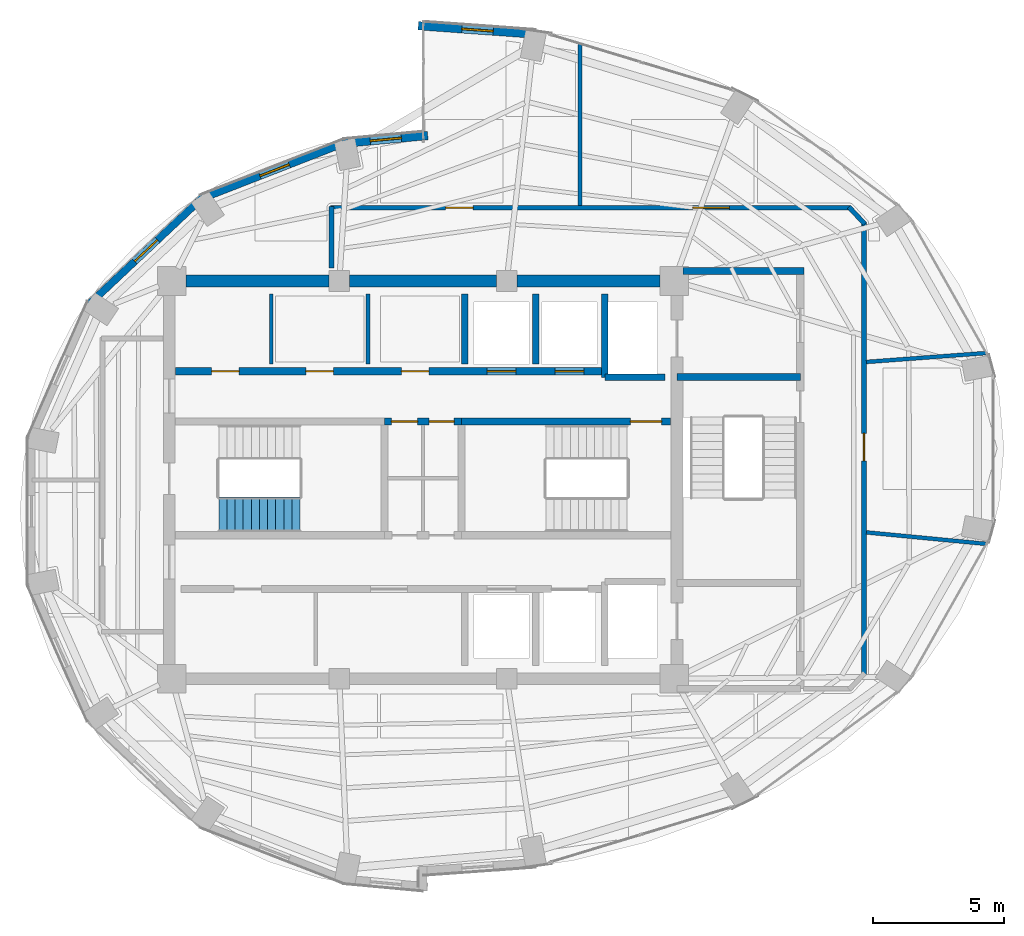
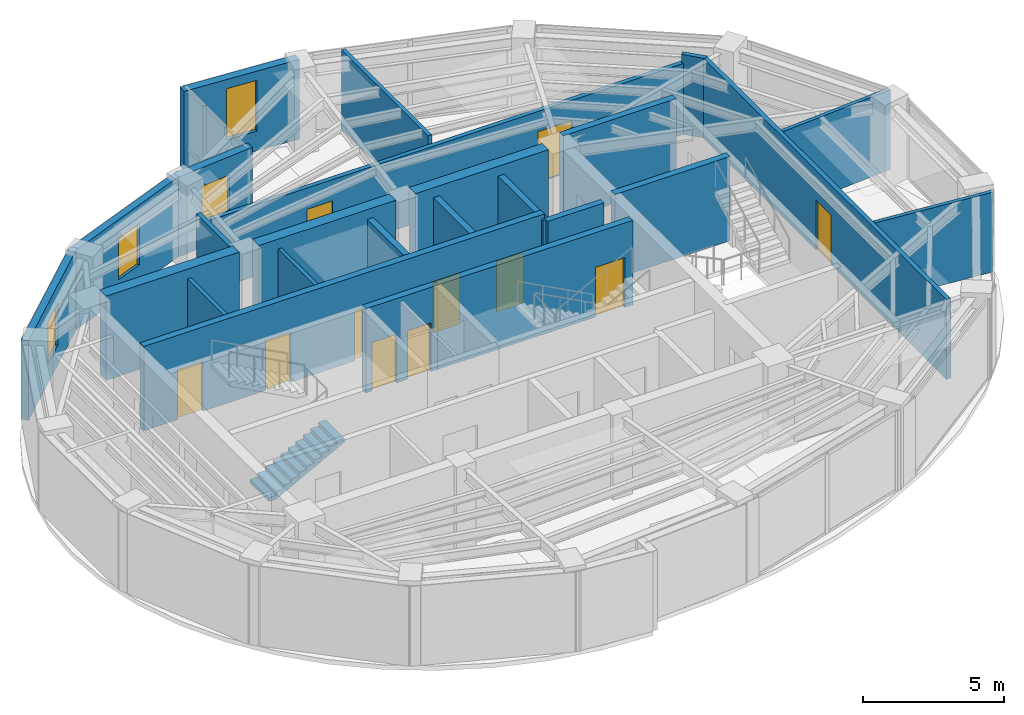
# One storey, part 12 of 15: 25 walls, 11 doors, 4 windows, 1 stair flight, 15 openings, 1 element without a shape of its own.
"""IFC4 building model written with IfcOpenShell, lengths in metres."""

from ifc_helpers import new_model, si_unit, direction, frame, frame_2d, origin, place, context, subcontext, project, spatial, polyline, rectangle, outline, extrude, material, layer, layer_set, type_object, element, fill, aggregate, save


model = new_model("IFC4")

# Units and contexts
model_context = context("Model", 3, precision=1e-05, world=origin(), true_north=direction((0.0, 1.0)))
body_context = subcontext(model_context, "Body", "Model", "MODEL_VIEW")
ifc_project = project(units=[si_unit("LENGTHUNIT", "METRE"), si_unit("AREAUNIT", "SQUARE_METRE"), si_unit("VOLUMEUNIT", "CUBIC_METRE"), si_unit("PLANEANGLEUNIT", "RADIAN"), si_unit("MASSUNIT", "GRAM", prefix="KILO")], contexts=[model_context])

# Site, building, storey
site_placement = place(None, origin())
site = spatial("IfcSite", under=ifc_project, at=site_placement, CompositionType="ELEMENT")
building_placement = place(site_placement, origin())
building = spatial("IfcBuilding", under=site, at=building_placement, Name="Lazwardi Medical Tower", CompositionType="ELEMENT")
storey_placement = place(building_placement, frame((0.0, 0.0, 280.56005859375)))
storey = spatial("IfcBuildingStorey", under=building, at=storey_placement, Name="L73", CompositionType="ELEMENT", Elevation=280.56005859375)

# Wall
ifc_material_1 = material(Name="Fire-rated gypsum board on steel stud", Category="steel")
ifc_layer_1 = layer(ifc_material_1, 0.179931640625)
ifc_layer_set_1 = layer_set([ifc_layer_1], Name="Fire-rated gypsum board on steel stud")
wall_type_1 = type_object("IfcWallType", Name="WL-COR-180", PredefinedType="PARTITIONING", material=ifc_layer_set_1)
wall_1_placement = place(storey_placement, frame((32.5, 36.090087890625, 0.0), z_axis=(0.0, 0.0, 1.0), x_axis=(0.0, 1.0, 0.0)))
element("IfcWall", 1, at=wall_1_placement, inside=storey, type_object=wall_type_1, Name="L73 Corridor partition 1", PredefinedType="PARTITIONING", context=body_context, shape_type="SweptSolid", body=[
    extrude(rectangle(XDim=2.349853515625, YDim=0.179931640625, at=frame_2d((1.1748046875, 0.0))), origin(), (0.0, 0.0, 1.0), 3.447998046875),
])

# Wall, openings, doors
wall_2_placement = place(storey_placement, frame((32.4599609375, 38.39990234375, 0.0), z_axis=(0.0, 0.0, 1.0), x_axis=(1.0, 0.0, 0.0)))
wall_2 = element("IfcWall", 2, at=wall_2_placement, inside=storey, type_object=wall_type_1, Name="L73 Corridor partition 2", PredefinedType="PARTITIONING", context=body_context, shape_type="SweptSolid", body=[
    extrude(rectangle(XDim=19.879150390625, YDim=0.179931640625, at=frame_2d((9.939453125, 0.0))), origin(), (0.0, 0.0, 1.0), 3.072998046875),
])
opening_1_placement = place(wall_2_placement, frame((13.8505859375, 0.0, 0.0)))
opening_1 = element("IfcOpeningElement", 3, at=opening_1_placement, cuts=wall_2, Name="Opening D-L73-016", PredefinedType="OPENING", context=body_context, shape_type="SweptSolid", body=[
    extrude(rectangle(XDim=1.39990234375, YDim=2.199951171875, at=frame_2d((0.699951171875, 1.10009765625))), frame((0.0, 0.099853515625, 0.0), z_axis=(0.0, -1.0, 0.0), x_axis=(1.0, 0.0, 0.0)), (0.0, 0.0, 1.0), 0.199951171875),
])
opening_2_placement = place(wall_2_placement, frame((4.404052734375, 0.0, 0.0)))
opening_2 = element("IfcOpeningElement", 4, at=opening_2_placement, cuts=wall_2, Name="Opening D-L73-017", PredefinedType="OPENING", context=body_context, shape_type="SweptSolid", body=[
    extrude(rectangle(XDim=1.050048828125, YDim=2.14990234375, at=frame_2d((0.52490234375, 1.074951171875))), frame((0.0, 0.099853515625, 0.0), z_axis=(0.0, -1.0, 0.0), x_axis=(1.0, 0.0, 0.0)), (0.0, 0.0, 1.0), 0.199951171875),
])
ifc_material_2 = material(Name="Anti-microbial laminate hospital leaf")
door_type_1 = type_object("IfcDoorType", Name="DR-BED-1400", OperationType="NOTDEFINED", PredefinedType="DOOR", material=ifc_material_2)
door_1_placement = place(opening_1_placement, origin())
door_1 = element("IfcDoor", 5, at=door_1_placement, inside=storey, type_object=door_type_1, Name="L73 Rehabilitation Gymnasium Door 03", OperationType="SINGLE_SWING_LEFT", OverallHeight=2.199951171875, OverallWidth=1.39990234375, PredefinedType="DOOR", context=body_context, shape_type="SweptSolid", body=[
    extrude(rectangle(XDim=1.39990234375, YDim=2.199951171875, at=frame_2d((0.699951171875, 1.10009765625))), frame((0.0, 0.02490234375, 0.0), z_axis=(0.0, -1.0, 0.0), x_axis=(1.0, 0.0, 0.0)), (0.0, 0.0, 1.0), 0.050048828125),
])
fill(opening_1, door_1)
door_type_2 = type_object("IfcDoorType", Name="DR-CLN-1050", OperationType="NOTDEFINED", PredefinedType="DOOR", material=ifc_material_2)
door_2_placement = place(opening_2_placement, origin())
door_2 = element("IfcDoor", 6, at=door_2_placement, inside=storey, type_object=door_type_2, Name="L73 Outpatient Clinic Door 04", OperationType="SINGLE_SWING_RIGHT", OverallHeight=2.14990234375, OverallWidth=1.050048828125, PredefinedType="DOOR", context=body_context, shape_type="SweptSolid", body=[
    extrude(rectangle(XDim=1.050048828125, YDim=2.14990234375, at=frame_2d((0.52490234375, 1.074951171875))), frame((0.0, 0.02490234375, 0.0), z_axis=(0.0, -1.0, 0.0), x_axis=(1.0, 0.0, 0.0)), (0.0, 0.0, 1.0), 0.050048828125),
])
fill(opening_2, door_2)

# Wall
wall_3_placement = place(storey_placement, frame((52.271728515625, 38.42919921875, 0.0), z_axis=(0.0, 0.0, 1.0), x_axis=(0.682475113459, -0.730908831188, 0.0)))
element("IfcWall", 7, at=wall_3_placement, inside=storey, type_object=wall_type_1, Name="L73 Corridor partition 3", PredefinedType="PARTITIONING", context=body_context, shape_type="SweptSolid", body=[
    extrude(rectangle(XDim=0.88720703125, YDim=0.179931640625, at=frame_2d((0.443603515625, 0.0))), origin(), (0.0, 0.0, 1.0), 3.447998046875),
])

# Wall, opening, door
wall_4_placement = place(storey_placement, frame((52.85009765625, 37.85009765625, 0.0), z_axis=(0.0, 0.0, 1.0), x_axis=(0.0, -1.0, 0.0)))
wall_4 = element("IfcWall", 8, at=wall_4_placement, inside=storey, type_object=wall_type_1, Name="L73 Corridor partition 4", PredefinedType="PARTITIONING", context=body_context, shape_type="SweptSolid", body=[
    extrude(rectangle(XDim=17.30029296875, YDim=0.179931640625, at=frame_2d((8.650146484375, 0.0))), origin(), (0.0, 0.0, 1.0), 3.447998046875),
])
opening_3_placement = place(wall_4_placement, frame((8.075927734375, 0.0, 0.0)))
opening_3 = element("IfcOpeningElement", 9, at=opening_3_placement, cuts=wall_4, Name="Opening D-L73-015", PredefinedType="OPENING", context=body_context, shape_type="SweptSolid", body=[
    extrude(rectangle(XDim=1.050048828125, YDim=2.14990234375, at=frame_2d((0.52490234375, 1.074951171875))), frame((0.0, 0.099853515625, 0.0), z_axis=(0.0, -1.0, 0.0), x_axis=(1.0, 0.0, 0.0)), (0.0, 0.0, 1.0), 0.199951171875),
])
door_3_placement = place(opening_3_placement, origin())
door_3 = element("IfcDoor", 10, at=door_3_placement, inside=storey, type_object=door_type_2, Name="L73 Clinical Specialist Office Door 02", OperationType="SINGLE_SWING_RIGHT", OverallHeight=2.14990234375, OverallWidth=1.050048828125, PredefinedType="DOOR", context=body_context, shape_type="SweptSolid", body=[
    extrude(rectangle(XDim=1.050048828125, YDim=2.14990234375, at=frame_2d((0.52490234375, 1.074951171875))), frame((0.0, 0.02490234375, 0.0), z_axis=(0.0, -1.0, 0.0), x_axis=(1.0, 0.0, 0.0)), (0.0, 0.0, 1.0), 0.050048828125),
])
fill(opening_3, door_3)

# Walls
ifc_material_3 = material(Name="Concrete C60/75", Category="concrete")
ifc_layer_2 = layer(ifc_material_3, 0.449951171875)
ifc_layer_set_2 = layer_set([ifc_layer_2], Name="Concrete C60/75")
wall_type_2 = type_object("IfcWallType", Name="WL-CORE-450", PredefinedType="SHEAR", material=ifc_layer_set_2)
wall_5_placement = place(storey_placement, frame((26.949951171875, 35.60009765625, 0.0), z_axis=(0.0, 0.0, 1.0), x_axis=(1.0, 0.0, 0.0)))
element("IfcWall", 11, at=wall_5_placement, inside=storey, type_object=wall_type_2, Name="Core wall CW-S4 N1 L73", PredefinedType="SHEAR", context=body_context, shape_type="SweptSolid", body=[
    extrude(rectangle(XDim=5.449951171875, YDim=0.449951171875, at=frame_2d((2.72509765625, 0.0))), origin(), (0.0, 0.0, 1.0), 3.64794921875),
])
wall_6_placement = place(storey_placement, frame((33.199951171875, 35.60009765625, 0.0), z_axis=(0.0, 0.0, 1.0), x_axis=(1.0, 0.0, 0.0)))
element("IfcWall", 12, at=wall_6_placement, inside=storey, type_object=wall_type_2, Name="Core wall CW-S4 N2 L73", PredefinedType="SHEAR", context=body_context, shape_type="SweptSolid", body=[
    extrude(rectangle(XDim=5.60009765625, YDim=0.449951171875, at=frame_2d((2.800048828125, 0.0))), origin(), (0.0, 0.0, 1.0), 3.64794921875),
])
wall_7_placement = place(storey_placement, frame((39.60009765625, 35.60009765625, 0.0), z_axis=(0.0, 0.0, 1.0), x_axis=(1.0, 0.0, 0.0)))
element("IfcWall", 13, at=wall_7_placement, inside=storey, type_object=wall_type_2, Name="Core wall CW-S4 N3 L73", PredefinedType="SHEAR", context=body_context, shape_type="SweptSolid", body=[
    extrude(rectangle(XDim=5.449951171875, YDim=0.449951171875, at=frame_2d((2.72509765625, 0.0))), origin(), (0.0, 0.0, 1.0), 3.64794921875),
])

# Wall, opening, window
ifc_material_4 = material(Name="Precast concrete C45/55", Category="concrete")
ifc_layer_3 = layer(ifc_material_4, 0.280029296875)
ifc_layer_set_3 = layer_set([ifc_layer_3], Name="Precast concrete C45/55")
wall_type_3 = type_object("IfcWallType", Name="WL-DRUM-280", PredefinedType="SOLIDWALL", material=ifc_layer_set_3)
wall_8_placement = place(storey_placement, frame((33.227783203125, 40.964111328125, 0.0), z_axis=(0.0, 0.0, 1.0), x_axis=(-0.931716550814, -0.36318627306, 0.0)))
wall_8 = element("IfcWall", 14, at=wall_8_placement, inside=storey, type_object=wall_type_3, Name="L73 West Drum Precast Wall 1", PredefinedType="SOLIDWALL", context=body_context, shape_type="SweptSolid", body=[
    extrude(rectangle(XDim=6.22412109375, YDim=0.280029296875, at=frame_2d((3.112060546875, 0.0))), origin(), (0.0, 0.0, 1.0), 3.447998046875),
])
opening_4_placement = place(wall_8_placement, frame((2.511962890625, 0.0, 0.85009765625)))
opening_4 = element("IfcOpeningElement", 15, at=opening_4_placement, cuts=wall_8, Name="Opening WN-04", PredefinedType="OPENING", context=body_context, shape_type="SweptSolid", body=[
    extrude(rectangle(XDim=1.199951171875, YDim=1.800048828125, at=frame_2d((0.60009765625, 0.89990234375))), frame((0.0, 0.14990234375, 0.0), z_axis=(0.0, -1.0, 0.0), x_axis=(1.0, 0.0, 0.0)), (0.0, 0.0, 1.0), 0.300048828125),
])
ifc_material_5 = material(Name="Low-e bronze solar control double glazing", Category="glass")
window_type_1 = type_object("IfcWindowType", Name="WIN-DRUM-1200", PartitioningType="SINGLE_PANEL", PredefinedType="WINDOW", material=ifc_material_5)
window_1_placement = place(opening_4_placement, origin())
window_1 = element("IfcWindow", 16, at=window_1_placement, inside=storey, type_object=window_type_1, Name="L73 West Drum Window 1", OverallHeight=1.800048828125, OverallWidth=1.199951171875, PartitioningType="SINGLE_PANEL", PredefinedType="WINDOW", context=body_context, shape_type="SweptSolid", body=[
    extrude(rectangle(XDim=1.199951171875, YDim=1.800048828125, at=frame_2d((0.60009765625, 0.89990234375))), frame((0.0, 0.030029296875, 0.0), z_axis=(0.0, -1.0, 0.0), x_axis=(1.0, 0.0, 0.0)), (0.0, 0.0, 1.0), 0.06005859375),
])
fill(opening_4, window_1)

wall_9_placement = place(storey_placement, frame((27.5947265625, 38.808349609375, 0.0), z_axis=(0.0, 0.0, 1.0), x_axis=(-0.728251519923, -0.685309947199, 0.0)))
wall_9 = element("IfcWall", 17, at=wall_9_placement, inside=storey, type_object=wall_type_3, Name="L73 West Drum Precast Wall 2", PredefinedType="SOLIDWALL", context=body_context, shape_type="SweptSolid", body=[
    extrude(rectangle(XDim=5.98095703125, YDim=0.280029296875, at=frame_2d((2.990478515625, 0.0))), origin(), (0.0, 0.0, 1.0), 3.447998046875),
])
opening_5_placement = place(wall_9_placement, frame((2.390625, 0.0, 0.85009765625)))
opening_5 = element("IfcOpeningElement", 18, at=opening_5_placement, cuts=wall_9, Name="Opening WN-04", PredefinedType="OPENING", context=body_context, shape_type="SweptSolid", body=[
    extrude(rectangle(XDim=1.199951171875, YDim=1.800048828125, at=frame_2d((0.60009765625, 0.89990234375))), frame((0.0, 0.14990234375, 0.0), z_axis=(0.0, -1.0, 0.0), x_axis=(1.0, 0.0, 0.0)), (0.0, 0.0, 1.0), 0.300048828125),
])
window_2_placement = place(opening_5_placement, origin())
window_2 = element("IfcWindow", 19, at=window_2_placement, inside=storey, type_object=window_type_1, Name="L73 West Drum Window 2", OverallHeight=1.800048828125, OverallWidth=1.199951171875, PartitioningType="SINGLE_PANEL", PredefinedType="WINDOW", context=body_context, shape_type="SweptSolid", body=[
    extrude(rectangle(XDim=1.199951171875, YDim=1.800048828125, at=frame_2d((0.60009765625, 0.89990234375))), frame((0.0, 0.030029296875, 0.0), z_axis=(0.0, -1.0, 0.0), x_axis=(1.0, 0.0, 0.0)), (0.0, 0.0, 1.0), 0.06005859375),
])
fill(opening_5, window_2)

ifc_layer_4 = layer(ifc_material_4, 0.320068359375)
ifc_layer_set_4 = layer_set([ifc_layer_4], Name="Precast concrete C45/55")
wall_type_4 = type_object("IfcWallType", Name="WL-IWAN-320", PredefinedType="SOLIDWALL", material=ifc_layer_set_4)
wall_10_placement = place(storey_placement, frame((40.349609375, 45.0263671875, 0.0), z_axis=(0.0, 0.0, 1.0), x_axis=(-0.997412917451, 0.071885131294, 0.0)))
wall_10 = element("IfcWall", 20, at=wall_10_placement, inside=storey, type_object=wall_type_4, Name="L73 Iwan Portal Return Wall NE_ret", PredefinedType="SOLIDWALL", context=body_context, shape_type="SweptSolid", body=[
    extrude(rectangle(XDim=4.540771484375, YDim=0.320068359375, at=frame_2d((2.2705078125, 0.0))), origin(), (0.0, 0.0, 1.0), 3.447998046875),
])
opening_6_placement = place(wall_10_placement, frame((1.67041015625, 0.0, 0.85009765625)))
opening_6 = element("IfcOpeningElement", 21, at=opening_6_placement, cuts=wall_10, Name="Opening WN-01", PredefinedType="OPENING", context=body_context, shape_type="SweptSolid", body=[
    extrude(rectangle(XDim=1.199951171875, YDim=2.199951171875, at=frame_2d((0.60009765625, 1.10009765625))), frame((0.0, 0.169921875, 0.0), z_axis=(0.0, -1.0, 0.0), x_axis=(1.0, 0.0, 0.0)), (0.0, 0.0, 1.0), 0.340087890625),
])
window_type_2 = type_object("IfcWindowType", Name="WIN-IW-1200", PartitioningType="SINGLE_PANEL", PredefinedType="WINDOW", material=ifc_material_5)
window_3_placement = place(opening_6_placement, origin())
window_3 = element("IfcWindow", 22, at=window_3_placement, inside=storey, type_object=window_type_2, Name="L73 Iwan Slot Window NE_ret", OverallHeight=2.199951171875, OverallWidth=1.199951171875, PartitioningType="SINGLE_PANEL", PredefinedType="WINDOW", context=body_context, shape_type="SweptSolid", body=[
    extrude(rectangle(XDim=1.199951171875, YDim=2.199951171875, at=frame_2d((0.60009765625, 1.10009765625))), frame((0.0, 0.030029296875, 0.0), z_axis=(0.0, -1.0, 0.0), x_axis=(1.0, 0.0, 0.0)), (0.0, 0.0, 1.0), 0.06005859375),
])
fill(opening_6, window_3)

wall_11_placement = place(storey_placement, frame((36.178955078125, 41.156494140625, 0.0), z_axis=(0.0, 0.0, 1.0), x_axis=(-0.995736155144, -0.092247001792, 0.0)))
wall_11 = element("IfcWall", 23, at=wall_11_placement, inside=storey, type_object=wall_type_4, Name="L73 Iwan Portal Return Wall NW_ret", PredefinedType="SOLIDWALL", context=body_context, shape_type="SweptSolid", body=[
    extrude(rectangle(XDim=3.215576171875, YDim=0.320068359375, at=frame_2d((1.60791015625, 0.0))), origin(), (0.0, 0.0, 1.0), 3.447998046875),
])
opening_7_placement = place(wall_11_placement, frame((1.0078125, 0.0, 0.85009765625)))
opening_7 = element("IfcOpeningElement", 24, at=opening_7_placement, cuts=wall_11, Name="Opening WN-04", PredefinedType="OPENING", context=body_context, shape_type="SweptSolid", body=[
    extrude(rectangle(XDim=1.199951171875, YDim=1.800048828125, at=frame_2d((0.60009765625, 0.89990234375))), frame((0.0, 0.169921875, 0.0), z_axis=(0.0, -1.0, 0.0), x_axis=(1.0, 0.0, 0.0)), (0.0, 0.0, 1.0), 0.340087890625),
])
window_4_placement = place(opening_7_placement, origin())
window_4 = element("IfcWindow", 25, at=window_4_placement, inside=storey, type_object=window_type_1, Name="L73 Iwan Slot Window NW_ret", OverallHeight=1.800048828125, OverallWidth=1.199951171875, PartitioningType="SINGLE_PANEL", PredefinedType="WINDOW", context=body_context, shape_type="SweptSolid", body=[
    extrude(rectangle(XDim=1.199951171875, YDim=1.800048828125, at=frame_2d((0.60009765625, 0.89990234375))), frame((0.0, 0.030029296875, 0.0), z_axis=(0.0, -1.0, 0.0), x_axis=(1.0, 0.0, 0.0)), (0.0, 0.0, 1.0), 0.06005859375),
])
fill(opening_7, window_4)

# Walls
ifc_material_6 = material(Name="Autoclaved aerated concrete blockwork", Category="masonry")
ifc_layer_5 = layer(ifc_material_6, 0.25)
ifc_layer_set_5 = layer_set([ifc_layer_5], Name="Autoclaved aerated concrete blockwork")
wall_type_5 = type_object("IfcWallType", Name="WL-SHAFT-250", PredefinedType="SOLIDWALL", material=ifc_layer_set_5)
wall_12_placement = place(storey_placement, frame((42.949951171875, 31.919921875, 0.0), z_axis=(0.0, 0.0, 1.0), x_axis=(0.0, 1.0, 0.0)))
element("IfcWall", 26, at=wall_12_placement, inside=storey, type_object=wall_type_5, Name="L73 FL-01 West shaft wall", PredefinedType="SOLIDWALL", context=body_context, shape_type="SweptSolid", body=[
    extrude(rectangle(XDim=3.18017578125, YDim=0.25, at=frame_2d((1.590087890625, 0.0))), origin(), (0.0, 0.0, 1.0), 3.447998046875),
])
wall_13_placement = place(storey_placement, frame((42.949951171875, 31.919921875, 0.0), z_axis=(0.0, 0.0, 1.0), x_axis=(1.0, 0.0, 0.0)))
element("IfcWall", 27, at=wall_13_placement, inside=storey, type_object=wall_type_5, Name="L73 FL-01 South shaft wall", PredefinedType="SOLIDWALL", context=body_context, shape_type="SweptSolid", body=[
    extrude(rectangle(XDim=2.300048828125, YDim=0.25, at=frame_2d((1.14990234375, 0.0))), origin(), (0.0, 0.0, 1.0), 3.447998046875),
])
for number, where, z_axis, x_axis, name in (
    (28, (37.60009765625, 32.419921875, 0.0), (0.0, 0.0, 1.0), (0.0, 1.0, 0.0), "L73 North hoistway divider"),
    (29, (40.300048828125, 32.419921875, 0.0), (0.0, 0.0, 1.0), (0.0, 1.0, 0.0), "L73 North hoistway divider"),
):
    element("IfcWall", number, at=place(storey_placement, frame(where, z_axis=z_axis, x_axis=x_axis)), inside=storey, type_object=wall_type_5, Name=name, PredefinedType="SOLIDWALL", context=body_context, shape_type="SweptSolid", body=[
        extrude(rectangle(XDim=2.68017578125, YDim=0.25, at=frame_2d((1.340087890625, 0.0))), origin(), (0.0, 0.0, 1.0), 3.447998046875),
    ])

# Wall, openings, doors
ifc_material_7 = material(Name="Concrete C50/60", Category="concrete")
ifc_layer_6 = layer(ifc_material_7, 0.27001953125)
ifc_layer_set_6 = layer_set([ifc_layer_6], Name="Concrete C50/60")
wall_type_6 = type_object("IfcWallType", Name="WL-STR-250", PredefinedType="SHEAR", material=ifc_layer_set_6)
wall_14_placement = place(storey_placement, frame((34.534912109375, 30.235107421875, 0.0), z_axis=(0.0, 0.0, 1.0), x_axis=(1.0, 0.0, 0.0)))
wall_14 = element("IfcWall", 30, at=wall_14_placement, inside=storey, type_object=wall_type_6, Name="L73 Core service North shear wall SW-S1", PredefinedType="SHEAR", context=body_context, shape_type="SweptSolid", body=[
    extrude(rectangle(XDim=2.93017578125, YDim=0.27001953125, at=frame_2d((1.465087890625, 0.0))), origin(), (0.0, 0.0, 1.0), 3.64794921875),
])
opening_8_placement = place(wall_14_placement, frame((0.2548828125, 0.0, 0.0)))
opening_8 = element("IfcOpeningElement", 31, at=opening_8_placement, cuts=wall_14, Name="Opening D-L73-003", PredefinedType="OPENING", context=body_context, shape_type="SweptSolid", body=[
    extrude(rectangle(XDim=1.0, YDim=2.10009765625, at=frame_2d((0.5, 1.050048828125))), frame((0.0, 0.14501953125, 0.0), z_axis=(0.0, -1.0, 0.0), x_axis=(1.0, 0.0, 0.0)), (0.0, 0.0, 1.0), 0.2900390625),
])
opening_9_placement = place(wall_14_placement, frame((1.699951171875, 0.0, 0.0)))
opening_9 = element("IfcOpeningElement", 32, at=opening_9_placement, cuts=wall_14, Name="Opening D-L73-004", PredefinedType="OPENING", context=body_context, shape_type="SweptSolid", body=[
    extrude(rectangle(XDim=0.949951171875, YDim=2.10009765625, at=frame_2d((0.47509765625, 1.050048828125))), frame((0.0, 0.14501953125, 0.0), z_axis=(0.0, -1.0, 0.0), x_axis=(1.0, 0.0, 0.0)), (0.0, 0.0, 1.0), 0.2900390625),
])
ifc_material_8 = material(Name="Moisture-resistant laminate door leaf")
door_type_3 = type_object("IfcDoorType", Name="DR-AWC-1000", OperationType="NOTDEFINED", PredefinedType="DOOR", material=ifc_material_8)
door_4_placement = place(opening_8_placement, origin())
door_4 = element("IfcDoor", 33, at=door_4_placement, inside=storey, type_object=door_type_3, Name="L73 Accessible WC Door", OperationType="SINGLE_SWING_LEFT", OverallHeight=2.10009765625, OverallWidth=1.0, PredefinedType="DOOR", context=body_context, shape_type="SweptSolid", body=[
    extrude(rectangle(XDim=1.0, YDim=2.10009765625, at=frame_2d((0.5, 1.050048828125))), frame((0.0, 0.02490234375, 0.0), z_axis=(0.0, -1.0, 0.0), x_axis=(1.0, 0.0, 0.0)), (0.0, 0.0, 1.0), 0.050048828125),
])
fill(opening_8, door_4)
door_type_4 = type_object("IfcDoorType", Name="DR-ENS-950", OperationType="NOTDEFINED", PredefinedType="DOOR", material=ifc_material_8)
door_5_placement = place(opening_9_placement, origin())
door_5 = element("IfcDoor", 34, at=door_5_placement, inside=storey, type_object=door_type_4, Name="L73 Clean Utility Door", OperationType="SINGLE_SWING_RIGHT", OverallHeight=2.10009765625, OverallWidth=0.949951171875, PredefinedType="DOOR", context=body_context, shape_type="SweptSolid", body=[
    extrude(rectangle(XDim=0.949951171875, YDim=2.10009765625, at=frame_2d((0.47509765625, 1.050048828125))), frame((0.0, 0.02490234375, 0.0), z_axis=(0.0, -1.0, 0.0), x_axis=(1.0, 0.0, 0.0)), (0.0, 0.0, 1.0), 0.050048828125),
])
fill(opening_9, door_5)

# Wall, opening, door
wall_15_placement = place(storey_placement, frame((37.465087890625, 30.235107421875, 0.0), z_axis=(0.0, 0.0, 1.0), x_axis=(1.0, 0.0, 0.0)))
wall_15 = element("IfcWall", 35, at=wall_15_placement, inside=storey, type_object=wall_type_6, Name="L73 ST2 North shear shaft wall SW-S1", PredefinedType="SHEAR", context=body_context, shape_type="SweptSolid", body=[
    extrude(rectangle(XDim=7.98486328125, YDim=0.27001953125, at=frame_2d((3.992431640625, 0.0))), origin(), (0.0, 0.0, 1.0), 3.64794921875),
])
opening_10_placement = place(wall_15_placement, frame((6.455078125, 0.0, 0.0)))
opening_10 = element("IfcOpeningElement", 36, at=opening_10_placement, cuts=wall_15, Name="Opening D-L73-019", PredefinedType="OPENING", context=body_context, shape_type="SweptSolid", body=[
    extrude(rectangle(XDim=1.199951171875, YDim=2.14990234375, at=frame_2d((0.60009765625, 1.074951171875))), frame((0.0, 0.14501953125, 0.0), z_axis=(0.0, -1.0, 0.0), x_axis=(1.0, 0.0, 0.0)), (0.0, 0.0, 1.0), 0.2900390625),
])
ifc_material_9 = material(Name="Fire-rated steel leaf and frame", Category="steel")
door_type_5 = type_object("IfcDoorType", Name="DR-STR-1200", OperationType="NOTDEFINED", PredefinedType="DOOR", material=ifc_material_9)
door_6_placement = place(opening_10_placement, origin())
door_6 = element("IfcDoor", 37, at=door_6_placement, inside=storey, type_object=door_type_5, Name="L73 Exit Stair ST2 Door", OperationType="SINGLE_SWING_RIGHT", OverallHeight=2.14990234375, OverallWidth=1.199951171875, PredefinedType="DOOR", context=body_context, shape_type="SweptSolid", body=[
    extrude(rectangle(XDim=1.199951171875, YDim=2.14990234375, at=frame_2d((0.60009765625, 1.074951171875))), frame((0.0, 0.02490234375, 0.0), z_axis=(0.0, -1.0, 0.0), x_axis=(1.0, 0.0, 0.0)), (0.0, 0.0, 1.0), 0.050048828125),
])
fill(opening_10, door_6)

# Wall, openings, doors
wall_16_placement = place(storey_placement, frame((26.550048828125, 32.14990234375, 0.0), z_axis=(0.0, 0.0, 1.0), x_axis=(1.0, 0.0, 0.0)))
wall_16 = element("IfcWall", 38, at=wall_16_placement, inside=storey, type_object=wall_type_6, Name="L73 North lift bank shear wall SW-S1", PredefinedType="SHEAR", context=body_context, shape_type="SweptSolid", body=[
    extrude(rectangle(XDim=16.39990234375, YDim=0.27001953125, at=frame_2d((8.199951171875, 0.0))), origin(), (0.0, 0.0, 1.0), 3.64794921875),
])
opening_11_placement = place(wall_16_placement, frame((1.375, 0.0, 0.0)))
opening_11 = element("IfcOpeningElement", 39, at=opening_11_placement, cuts=wall_16, Name="Opening D-L73-005", PredefinedType="OPENING", context=body_context, shape_type="SweptSolid", body=[
    extrude(rectangle(XDim=1.050048828125, YDim=2.14990234375, at=frame_2d((0.52490234375, 1.074951171875))), frame((0.0, 0.14501953125, 0.0), z_axis=(0.0, -1.0, 0.0), x_axis=(1.0, 0.0, 0.0)), (0.0, 0.0, 1.0), 0.2900390625),
])
opening_12_placement = place(wall_16_placement, frame((4.97509765625, 0.0, 0.0)))
opening_12 = element("IfcOpeningElement", 40, at=opening_12_placement, cuts=wall_16, Name="Opening D-L73-006", PredefinedType="OPENING", context=body_context, shape_type="SweptSolid", body=[
    extrude(rectangle(XDim=1.050048828125, YDim=2.14990234375, at=frame_2d((0.52490234375, 1.074951171875))), frame((0.0, 0.14501953125, 0.0), z_axis=(0.0, -1.0, 0.0), x_axis=(1.0, 0.0, 0.0)), (0.0, 0.0, 1.0), 0.2900390625),
])
opening_13_placement = place(wall_16_placement, frame((8.625, 0.0, 0.0)))
opening_13 = element("IfcOpeningElement", 41, at=opening_13_placement, cuts=wall_16, Name="Opening D-L73-007", PredefinedType="OPENING", context=body_context, shape_type="SweptSolid", body=[
    extrude(rectangle(XDim=1.050048828125, YDim=2.14990234375, at=frame_2d((0.52490234375, 1.074951171875))), frame((0.0, 0.14501953125, 0.0), z_axis=(0.0, -1.0, 0.0), x_axis=(1.0, 0.0, 0.0)), (0.0, 0.0, 1.0), 0.2900390625),
])
opening_14_placement = place(wall_16_placement, frame((11.89990234375, 0.0, 0.0)))
opening_14 = element("IfcOpeningElement", 42, at=opening_14_placement, cuts=wall_16, Name="Opening LD-L73-004", PredefinedType="OPENING", context=body_context, shape_type="SweptSolid", body=[
    extrude(rectangle(XDim=1.10009765625, YDim=2.199951171875, at=frame_2d((0.550048828125, 1.10009765625))), frame((0.0, 0.14501953125, 0.0), z_axis=(0.0, -1.0, 0.0), x_axis=(1.0, 0.0, 0.0)), (0.0, 0.0, 1.0), 0.2900390625),
])
opening_15_placement = place(wall_16_placement, frame((14.5, 0.0, 0.0)))
opening_15 = element("IfcOpeningElement", 43, at=opening_15_placement, cuts=wall_16, Name="Opening LD-L73-005", PredefinedType="OPENING", context=body_context, shape_type="SweptSolid", body=[
    extrude(rectangle(XDim=1.10009765625, YDim=2.199951171875, at=frame_2d((0.550048828125, 1.10009765625))), frame((0.0, 0.14501953125, 0.0), z_axis=(0.0, -1.0, 0.0), x_axis=(1.0, 0.0, 0.0)), (0.0, 0.0, 1.0), 0.2900390625),
])
door_7_placement = place(opening_11_placement, origin())
door_7 = element("IfcDoor", 44, at=door_7_placement, inside=storey, type_object=door_type_2, Name="L73 Pantry Door", OperationType="SINGLE_SWING_LEFT", OverallHeight=2.14990234375, OverallWidth=1.050048828125, PredefinedType="DOOR", context=body_context, shape_type="SweptSolid", body=[
    extrude(rectangle(XDim=1.050048828125, YDim=2.14990234375, at=frame_2d((0.52490234375, 1.074951171875))), frame((0.0, 0.02490234375, 0.0), z_axis=(0.0, -1.0, 0.0), x_axis=(1.0, 0.0, 0.0)), (0.0, 0.0, 1.0), 0.050048828125),
])
fill(opening_11, door_7)
door_8_placement = place(opening_12_placement, origin())
door_8 = element("IfcDoor", 45, at=door_8_placement, inside=storey, type_object=door_type_2, Name="L73 Pharmacy Door", OperationType="SINGLE_SWING_RIGHT", OverallHeight=2.14990234375, OverallWidth=1.050048828125, PredefinedType="DOOR", context=body_context, shape_type="SweptSolid", body=[
    extrude(rectangle(XDim=1.050048828125, YDim=2.14990234375, at=frame_2d((0.52490234375, 1.074951171875))), frame((0.0, 0.02490234375, 0.0), z_axis=(0.0, -1.0, 0.0), x_axis=(1.0, 0.0, 0.0)), (0.0, 0.0, 1.0), 0.050048828125),
])
fill(opening_12, door_8)
door_9_placement = place(opening_13_placement, origin())
door_9 = element("IfcDoor", 46, at=door_9_placement, inside=storey, type_object=door_type_2, Name="L73 Consult Door", OperationType="SINGLE_SWING_LEFT", OverallHeight=2.14990234375, OverallWidth=1.050048828125, PredefinedType="DOOR", context=body_context, shape_type="SweptSolid", body=[
    extrude(rectangle(XDim=1.050048828125, YDim=2.14990234375, at=frame_2d((0.52490234375, 1.074951171875))), frame((0.0, 0.02490234375, 0.0), z_axis=(0.0, -1.0, 0.0), x_axis=(1.0, 0.0, 0.0)), (0.0, 0.0, 1.0), 0.050048828125),
])
fill(opening_13, door_9)
ifc_material_10 = material(Name="Brushed bronze stainless steel landing door", Category="steel")
door_type_6 = type_object("IfcDoorType", Name="DR-LFT-1100", OperationType="NOTDEFINED", PredefinedType="DOOR", material=ifc_material_10)
door_10_placement = place(opening_14_placement, origin())
door_10 = element("IfcDoor", 47, at=door_10_placement, inside=storey, type_object=door_type_6, Name="L73 Lift Landing Door PL-09", OperationType="SLIDING_TO_LEFT", OverallHeight=2.199951171875, OverallWidth=1.10009765625, PredefinedType="DOOR", context=body_context, shape_type="SweptSolid", body=[
    extrude(rectangle(XDim=1.10009765625, YDim=2.199951171875, at=frame_2d((0.550048828125, 1.10009765625))), frame((0.0, 0.02490234375, 0.0), z_axis=(0.0, -1.0, 0.0), x_axis=(1.0, 0.0, 0.0)), (0.0, 0.0, 1.0), 0.050048828125),
])
fill(opening_14, door_10)
door_11_placement = place(opening_15_placement, origin())
door_11 = element("IfcDoor", 48, at=door_11_placement, inside=storey, type_object=door_type_6, Name="L73 Lift Landing Door PL-10", OperationType="SLIDING_TO_LEFT", OverallHeight=2.199951171875, OverallWidth=1.10009765625, PredefinedType="DOOR", context=body_context, shape_type="SweptSolid", body=[
    extrude(rectangle(XDim=1.10009765625, YDim=2.199951171875, at=frame_2d((0.550048828125, 1.10009765625))), frame((0.0, 0.02490234375, 0.0), z_axis=(0.0, -1.0, 0.0), x_axis=(1.0, 0.0, 0.0)), (0.0, 0.0, 1.0), 0.050048828125),
])
fill(opening_15, door_11)

# Walls
wall_17_placement = place(storey_placement, frame((45.925048828125, 35.97998046875, 0.0), z_axis=(0.0, 0.0, 1.0), x_axis=(1.0, 0.0, 0.0)))
element("IfcWall", 49, at=wall_17_placement, inside=storey, type_object=wall_type_6, Name="L73 FFL-N North shear wall SW-S1", PredefinedType="SHEAR", context=body_context, shape_type="SweptSolid", body=[
    extrude(rectangle(XDim=4.625, YDim=0.27001953125, at=frame_2d((2.3125, 0.0))), origin(), (0.0, 0.0, 1.0), 3.64794921875),
])
wall_18_placement = place(storey_placement, frame((45.699951171875, 31.93505859375, 0.0), z_axis=(0.0, 0.0, 1.0), x_axis=(1.0, 0.0, 0.0)))
element("IfcWall", 50, at=wall_18_placement, inside=storey, type_object=wall_type_6, Name="L73 ST3 North shear shaft wall SW-S1", PredefinedType="SHEAR", context=body_context, shape_type="SweptSolid", body=[
    extrude(rectangle(XDim=4.715087890625, YDim=0.27001953125, at=frame_2d((2.357421875, 0.0))), origin(), (0.0, 0.0, 1.0), 3.64794921875),
])
ifc_material_11 = material(Name="Acoustic gypsum board partition")
ifc_layer_7 = layer(ifc_material_11, 0.14990234375)
ifc_layer_set_7 = layer_set([ifc_layer_7], Name="Acoustic gypsum board partition")
wall_type_7 = type_object("IfcWallType", Name="WL-WRD-150", PredefinedType="PARTITIONING", material=ifc_layer_set_7)
for number, where, z_axis, x_axis, name in (
    (51, (30.199951171875, 32.419921875, 0.0), (0.0, 0.0, 1.0), (0.0, 1.0, 0.0), "L73 Freed bay2 N split A"),
    (52, (33.89990234375, 32.419921875, 0.0), (0.0, 0.0, 1.0), (0.0, 1.0, 0.0), "L73 Freed bay2 N split B"),
):
    element("IfcWall", number, at=place(storey_placement, frame(where, z_axis=z_axis, x_axis=x_axis)), inside=storey, type_object=wall_type_7, Name=name, PredefinedType="PARTITIONING", context=body_context, shape_type="SweptSolid", body=[
        extrude(rectangle(XDim=2.68017578125, YDim=0.14990234375, at=frame_2d((1.340087890625, 0.0))), origin(), (0.0, 0.0, 1.0), 3.447998046875),
    ])
wall_19_placement = place(storey_placement, frame((52.939697265625, 25.992919921875, 0.0), z_axis=(0.0, 0.0, 1.0), x_axis=(0.995435221006, -0.095439618505, 0.0)))
element("IfcWall", 53, at=wall_19_placement, inside=storey, type_object=wall_type_7, Name="L73 Room partition 2", PredefinedType="PARTITIONING", context=body_context, shape_type="SweptSolid", body=[
    extrude(rectangle(XDim=4.6044921875, YDim=0.14990234375, at=frame_2d((2.30224609375, 0.0))), origin(), (0.0, 0.0, 1.0), 3.447998046875),
])
wall_20_placement = place(storey_placement, frame((52.939697265625, 32.505615234375, 0.0), z_axis=(0.0, 0.0, 1.0), x_axis=(0.997246844083, 0.074153435301, 0.0)))
element("IfcWall", 54, at=wall_20_placement, inside=storey, type_object=wall_type_7, Name="L73 Room partition 3", PredefinedType="PARTITIONING", context=body_context, shape_type="SweptSolid", body=[
    extrude(rectangle(XDim=4.59619140625, YDim=0.14990234375, at=frame_2d((2.298095703125, 0.0))), origin(), (0.0, 0.0, 1.0), 3.447998046875),
])
wall_21_placement = place(storey_placement, frame((42.0, 38.489990234375, 0.0), z_axis=(0.0, 0.0, 1.0), x_axis=(0.0, 1.0, 0.0)))
element("IfcWall", 55, at=wall_21_placement, inside=storey, type_object=wall_type_7, Name="L73 Room partition 4", PredefinedType="PARTITIONING", context=body_context, shape_type="SweptSolid", body=[
    extrude(rectangle(XDim=6.15771484375, YDim=0.14990234375, at=frame_2d((3.078857421875, 0.0))), origin(), (0.0, 0.0, 1.0), 3.447998046875),
])

# Stair, stair flight
ifc_material_12 = material(Name="Concrete C45/55", Category="concrete")
stair_type = type_object("IfcStairType", Name="STR-WRD", PredefinedType="HALF_TURN_STAIR", material=ifc_material_12)
stair_placement = place(storey_placement, origin())
stair = element("IfcStair", 56, at=stair_placement, inside=storey, type_object=stair_type, Name="L73 Protected Exit Stair ST1", PredefinedType="HALF_TURN_STAIR")
stair_flight_type = type_object("IfcStairFlightType", Name="FLT-WRD", PredefinedType="STRAIGHT", material=ifc_material_12)
stair_flight_placement = place(storey_placement, frame((28.199951171875, 26.679931640625, 0.0), z_axis=(0.0, 0.0, 1.0), x_axis=(1.0, 0.0, 0.0)))
stair_flight = element("IfcStairFlight", 57, at=stair_flight_placement, type_object=stair_flight_type, Name="ST1 flight 1", NumberOfRisers=11, NumberOfTreads=10, PredefinedType="STRAIGHT", RiserHeight=0.165818182, TreadLength=0.31, context=body_context, shape_type="SweptSolid", body=[
    extrude(outline(polyline([(0.0, 0.0), (0.0, 0.165771484375), (0.31005859375, 0.165771484375), (0.31005859375, 0.33154296875), (0.6201171875, 0.33154296875), (0.6201171875, 0.49755859375), (0.929931640625, 0.49755859375), (0.929931640625, 0.663330078125), (1.239990234375, 0.663330078125), (1.239990234375, 0.8291015625), (1.550048828125, 0.8291015625), (1.550048828125, 0.994873046875), (1.860107421875, 0.994873046875), (1.860107421875, 1.16064453125), (2.169921875, 1.16064453125), (2.169921875, 1.32666015625), (2.47998046875, 1.32666015625), (2.47998046875, 1.492431640625), (2.7900390625, 1.492431640625), (2.7900390625, 1.658203125), (3.10009765625, 1.658203125), (3.10009765625, 1.823974609375), (3.10009765625, 1.48828125), (0.31787109375, 0.0), (0.0, 0.0)])), frame((0.0, 0.66015625, 0.0), z_axis=(0.0, -1.0, 0.0), x_axis=(1.0, 0.0, 0.0)), (0.0, 0.0, 1.0), 1.320068359375),
])
aggregate(stair, [stair_flight])

save(model, "model.ifc")
